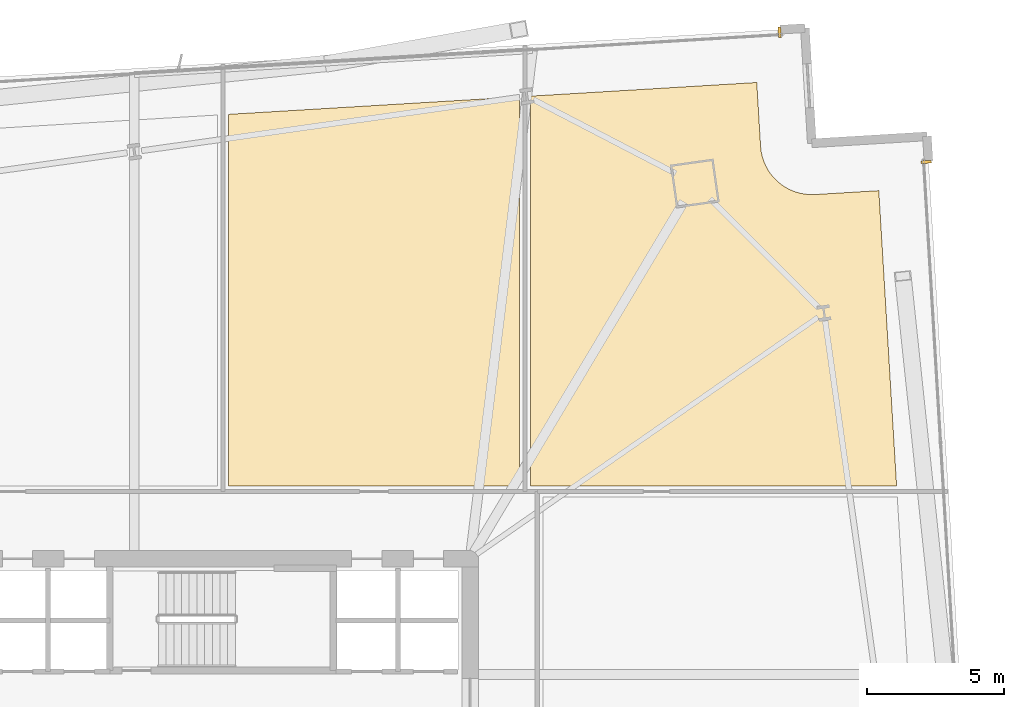
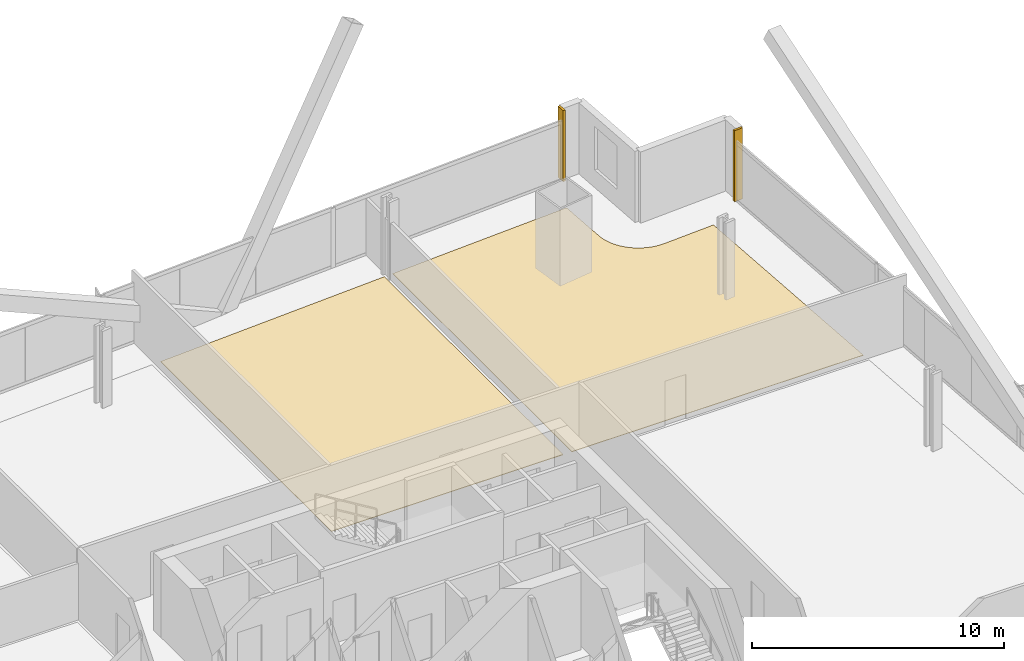
# One storey, part 34 of 34: 4 coverings.
"""IFC4 building model written with IfcOpenShell, lengths in metres."""

from ifc_helpers import new_model, si_unit, direction, frame, origin, origin_2d, place, context, subcontext, project, spatial, polyline, rectangle, outline, extrude, source, transform, mapped, material, layer, layer_set, type_object, element, save


model = new_model("IFC4")

# Units and contexts
model_context = context("Model", 3, precision=1e-05, world=origin(), true_north=direction((0.0, 1.0)))
body_context = subcontext(model_context, "Body", "Model", "MODEL_VIEW")
ifc_project = project(units=[si_unit("LENGTHUNIT", "METRE"), si_unit("AREAUNIT", "SQUARE_METRE"), si_unit("VOLUMEUNIT", "CUBIC_METRE"), si_unit("PLANEANGLEUNIT", "RADIAN"), si_unit("MASSUNIT", "GRAM", prefix="KILO")], contexts=[model_context])

# Site, building, storey
site_placement = place(None, origin())
site = spatial("IfcSite", under=ifc_project, at=site_placement, CompositionType="ELEMENT")
building_placement = place(site_placement, origin())
building = spatial("IfcBuilding", under=site, at=building_placement, Name="Haldenkirk Collegiate Tower", CompositionType="ELEMENT")
storey_placement = place(building_placement, frame((0.0, 0.0, 40.199951171875)))
storey = spatial("IfcBuildingStorey", under=building, at=storey_placement, Name="L08", CompositionType="ELEMENT", Elevation=40.199951171875)

# Coverings
ifc_material_1 = material(Name="Polished collegiate terrazzo", Category="concrete")
ifc_layer_1 = layer(ifc_material_1, 0.02490234375)
ifc_layer_set_1 = layer_set([ifc_layer_1], Name="Polished collegiate terrazzo")
covering_type_1 = type_object("IfcCoveringType", Name="COV-FLOOR-TERRAZZO", PredefinedType="FLOORING", material=ifc_layer_set_1)
covering_1_placement = place(storey_placement, origin())
element("IfcCovering", 1, at=covering_1_placement, inside=storey, type_object=covering_type_1, Name="L08 academic room finish 06", PredefinedType="FLOORING", context=body_context, shape_type="SweptSolid", body=[
    extrude(outline(polyline([(46.800048828125, 50.82470703125), (46.800048828125, 36.64990234375), (36.199951171875, 36.64990234375), (36.199951171875, 50.185791015625), (46.800048828125, 50.82470703125)])), origin(), (0.0, 0.0, 1.0), 0.025146484375),
])
ifc_material_2 = material(Name="Engineered collegiate oak acoustic flooring", Category="wood")
ifc_layer_2 = layer(ifc_material_2, 0.02197265625)
ifc_layer_set_2 = layer_set([ifc_layer_2], Name="Engineered collegiate oak acoustic flooring")
covering_type_2 = type_object("IfcCoveringType", Name="COV-FLOOR-TIMBER", PredefinedType="FLOORING", material=ifc_layer_set_2)
covering_2_placement = place(storey_placement, origin())
element("IfcCovering", 2, at=covering_2_placement, inside=storey, type_object=covering_type_2, Name="L08 academic room finish 07", PredefinedType="FLOORING", context=body_context, shape_type="SweptSolid", body=[
    extrude(outline(polyline([(55.43994140625, 51.345703125), (55.580078125, 49.02001953125), (55.580810546875, 49.01416015625), (55.599365234375, 48.843505859375), (55.601318359375, 48.831787109375), (55.63671875, 48.663818359375), (55.6396484375, 48.65234375), (55.69140625, 48.488525390625), (55.6953125, 48.4775390625), (55.7626953125, 48.319580078125), (55.76806640625, 48.308837890625), (55.8505859375, 48.158447265625), (55.85693359375, 48.1484375), (55.953857421875, 48.006591796875), (55.9609375, 47.997314453125), (56.0712890625, 47.86572265625), (56.079345703125, 47.857177734375), (56.2021484375, 47.737060546875), (56.2109375, 47.729248046875), (56.344970703125, 47.621826171875), (56.3544921875, 47.614990234375), (56.498291015625, 47.52099609375), (56.508544921875, 47.51513671875), (56.660888671875, 47.435791015625), (56.67138671875, 47.430908203125), (56.830810546875, 47.366943359375), (56.842041015625, 47.363037109375), (57.007080078125, 47.315185546875), (57.018310546875, 47.312255859375), (57.187255859375, 47.28076171875), (57.198974609375, 47.279296875), (57.3701171875, 47.264404296875), (57.381591796875, 47.263916015625), (57.553466796875, 47.265625), (57.559326171875, 47.265869140625), (59.885009765625, 47.406005859375), (60.533447265625, 36.64990234375), (47.199951171875, 36.64990234375), (47.199951171875, 50.84912109375), (55.43994140625, 51.345703125)])), origin(), (0.0, 0.0, 1.0), 0.02197265625),
])
ifc_material_3 = material(Name="Anodised architectural bronze aluminium", Category="aluminium")
ifc_layer_3 = layer(ifc_material_3, 0.06005859375)
ifc_layer_set_3 = layer_set([ifc_layer_3], Name="Anodised architectural bronze aluminium")
covering_type_3 = type_object("IfcCoveringType", Name="COV-CLAD-BRONZE-60", PredefinedType="CLADDING", material=ifc_layer_set_3)
shared_shape = source(origin(), body_context, "Body", "SweptSolid", [
    extrude(rectangle(XDim=0.10009765625, YDim=0.3798828125, at=origin_2d()), origin(), (0.0, 0.0, 1.0), 3.43994140625),
])
for number, where, z_axis, x_axis, name in (
    (3, (61.60546875, 48.451416015625, 0.0), (0.0, 0.0, 1.0), (0.060177479469, -0.998187693254, 0.0), "L08 recessed curtain-wall bronze jamb closure EJL"),
    (4, (56.271240234375, 53.17919921875, 0.0), (0.0, 0.0, 1.0), (0.998187693254, 0.060177479469, 0.0), "L08 recessed curtain-wall bronze jamb closure NJR"),
):
    element("IfcCovering", number, at=place(storey_placement, frame(where, z_axis=z_axis, x_axis=x_axis)), inside=storey, type_object=covering_type_3, Name=name, PredefinedType="CLADDING", context=body_context, shape_type="MappedRepresentation", body=[
        mapped(shared_shape, transform((0.0, 0.0, 0.0), x_axis=(1.0, 0.0, 0.0), y_axis=(0.0, 1.0, 0.0), z_axis=(0.0, 0.0, 1.0), scale=1.0)),
    ])

save(model, "model.ifc")
